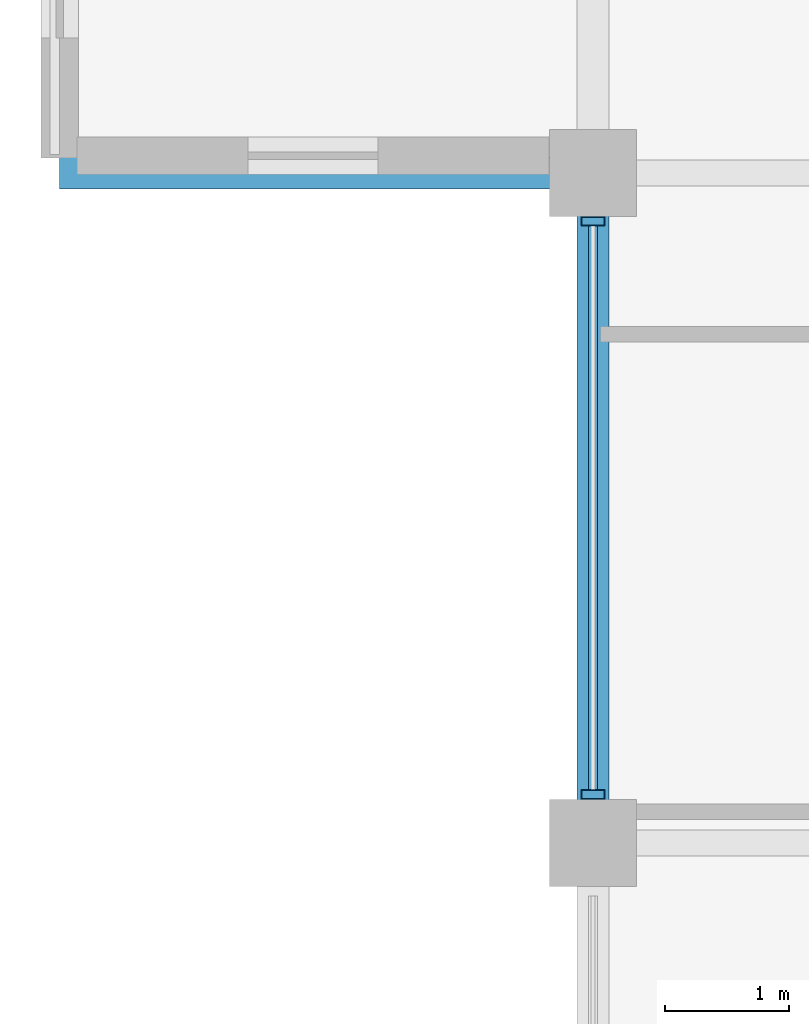
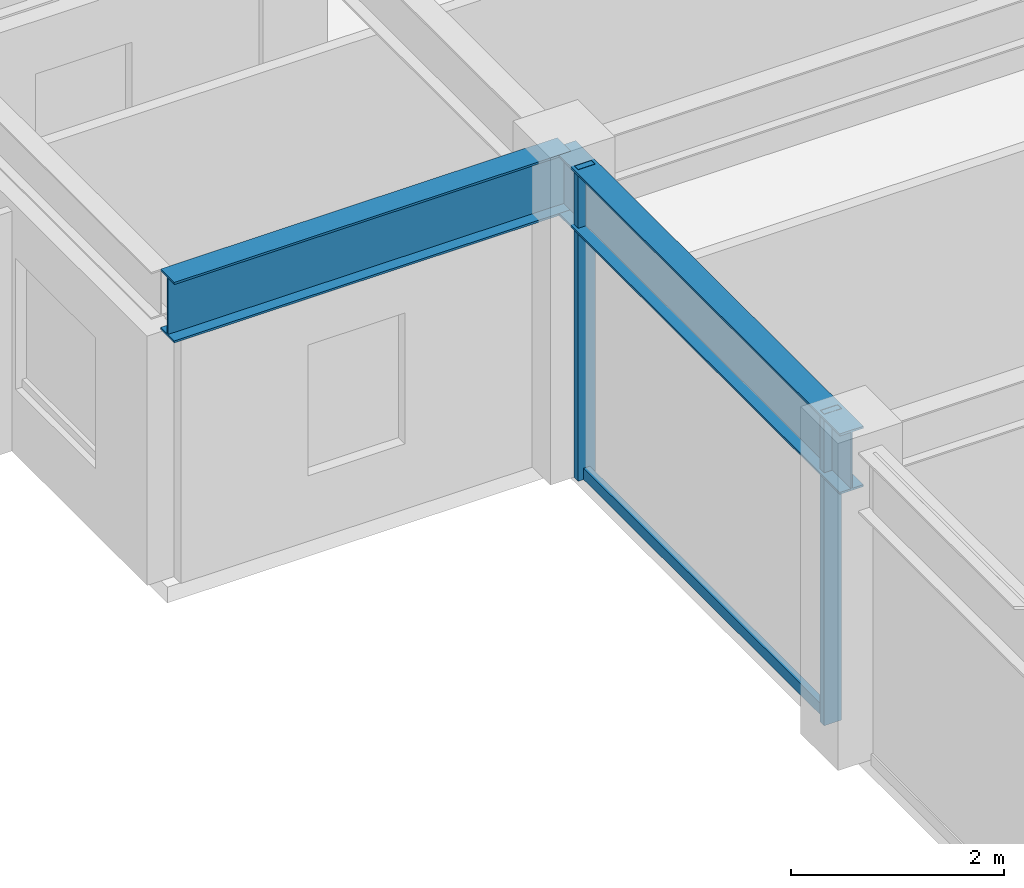
# One storey, part 5 of 31: 3 members, 2 beams, 1 element without a shape of its own.
"""IFC4 building model written with IfcOpenShell, lengths in metres."""

from ifc_helpers import new_model, si_unit, direction, frame, origin, origin_2d, place, context, subcontext, project, spatial, hollow_rectangle, i_section, extrude, material, layer, layer_set, material_profile, profile_set, type_object, element, aggregate, save


model = new_model("IFC4")

# Units and contexts
model_context = context("Model", 3, precision=1e-05, world=origin(), true_north=direction((0.0, 1.0)))
body_context = subcontext(model_context, "Body", "Model", "MODEL_VIEW")
ifc_project = project(units=[si_unit("LENGTHUNIT", "METRE"), si_unit("AREAUNIT", "SQUARE_METRE"), si_unit("VOLUMEUNIT", "CUBIC_METRE"), si_unit("PLANEANGLEUNIT", "RADIAN"), si_unit("MASSUNIT", "GRAM", prefix="KILO")], contexts=[model_context])

# Site, building, storey
site_placement = place(None, origin())
site = spatial("IfcSite", under=ifc_project, at=site_placement, CompositionType="ELEMENT")
building_placement = place(site_placement, origin())
building = spatial("IfcBuilding", under=site, at=building_placement, Name="Surkhivell Harbour Commons", CompositionType="ELEMENT")
storey_placement = place(building_placement, frame((0.0, 0.0, 322.5)))
storey = spatial("IfcBuildingStorey", under=building, at=storey_placement, Name="L84", CompositionType="ELEMENT", Elevation=322.5)

# Beams
ifc_material_1 = material(Name="Steel S460", Category="steel")
ifc_material_profile_1 = material_profile(ifc_material_1, i_section(OverallWidth=0.256103515625, OverallDepth=0.693115234375, WebThickness=0.014404296875, FlangeThickness=0.023681640625, at=origin_2d()), Name="UB686x254x170")
ifc_profile_set_1 = profile_set([ifc_material_profile_1], Name="Steel S460")
beam_type_1 = type_object("IfcBeamType", Name="BM-CNT-686", PredefinedType="BEAM", material=ifc_profile_set_1)
beam_1_placement = place(storey_placement, frame((-27.0, 0.0, 3.223388671875), z_axis=(-1.0, 0.0, 0.0), x_axis=(0.0, -1.0, 0.0)))
element("IfcBeam", 1, at=beam_1_placement, inside=storey, type_object=beam_type_1, Name="L84 Box Cantilever Outrigger (-27.0,0.0)", PredefinedType="BEAM", context=body_context, shape_type="SweptSolid", body=[
    extrude(i_section(OverallWidth=0.256103515625, OverallDepth=0.693115234375, WebThickness=0.014404296875, FlangeThickness=0.023681640625, at=origin_2d()), origin(), (0.0, 0.0, 1.0), 4.300048828125),
])
ifc_material_2 = material(Name="Steel S355", Category="steel")
ifc_material_profile_2 = material_profile(ifc_material_2, i_section(OverallWidth=0.256103515625, OverallDepth=0.693115234375, WebThickness=0.014404296875, FlangeThickness=0.023681640625, at=origin_2d()), Name="UB686x254x170")
ifc_profile_set_2 = profile_set([ifc_material_profile_2], Name="Steel S355")
beam_type_2 = type_object("IfcBeamType", Name="BM-SPN-686", PredefinedType="SPANDREL", material=ifc_profile_set_2)
beam_2_placement = place(storey_placement, frame((-27.0, -5.39990234375, 3.223388671875), z_axis=(0.0, 1.0, 0.0), x_axis=(-1.0, 0.0, 0.0)))
element("IfcBeam", 2, at=beam_2_placement, inside=storey, type_object=beam_type_2, Name="L84 Tube Spandrel (-27.0,-5.4)", PredefinedType="SPANDREL", context=body_context, shape_type="SweptSolid", body=[
    extrude(i_section(OverallWidth=0.256103515625, OverallDepth=0.693115234375, WebThickness=0.014404296875, FlangeThickness=0.023681640625, at=origin_2d()), origin(), (0.0, 0.0, 1.0), 5.39990234375),
])

# Curtain wall, members
ifc_material_3 = material(Name="Anodised pale-metal aluminium and insulated glazing", Category="aluminium")
ifc_layer = layer(ifc_material_3, 0.175048828125)
ifc_layer_set = layer_set([ifc_layer], Name="Anodised pale-metal aluminium and insulated glazing")
curtain_wall_type = type_object("IfcCurtainWallType", Name="CW-SYS-Z4", PredefinedType="NOTDEFINED", material=ifc_layer_set)
curtain_wall_placement = place(storey_placement, origin())
curtain_wall = element("IfcCurtainWall", 3, at=curtain_wall_placement, inside=storey, type_object=curtain_wall_type, Name="L84 Curtain Wall CW-L84-E12R1S1", PredefinedType="NOTDEFINED")
ifc_material_4 = material(Name="Anodised pale-metal aluminium alloy 6063-T6", Category="aluminium")
ifc_material_profile_3 = material_profile(ifc_material_4, hollow_rectangle(XDim=0.074951171875, YDim=0.18994140625, WallThickness=0.00390625, at=origin_2d()), Name="ALU-MULL-75x190")
ifc_profile_set_3 = profile_set([ifc_material_profile_3], Name="Anodised pale-metal aluminium alloy 6063-T6")
member_type_1 = type_object("IfcMemberType", Name="CWM-190", PredefinedType="MULLION", material=ifc_profile_set_3)
member_1_placement = place(storey_placement, frame((-27.0, -5.010498046875, 0.0), z_axis=(0.0, 0.0, 1.0), x_axis=(0.0, 1.0, 0.0)))
member_1 = element("IfcMember", 4, at=member_1_placement, type_object=member_type_1, Name="CW-Z4 mullion 2", PredefinedType="MULLION", context=body_context, shape_type="SweptSolid", body=[
    extrude(hollow_rectangle(XDim=0.074951171875, YDim=0.18994140625, WallThickness=0.00390625, at=origin_2d()), origin(), (0.0, 0.0, 1.0), 3.570068359375),
])
member_2_placement = place(storey_placement, frame((-27.0, -0.389404296875, 0.0), z_axis=(0.0, 0.0, 1.0), x_axis=(0.0, 1.0, 0.0)))
member_2 = element("IfcMember", 5, at=member_2_placement, type_object=member_type_1, Name="CW-Z4 mullion 3", PredefinedType="MULLION", context=body_context, shape_type="SweptSolid", body=[
    extrude(hollow_rectangle(XDim=0.074951171875, YDim=0.18994140625, WallThickness=0.00390625, at=origin_2d()), origin(), (0.0, 0.0, 1.0), 3.570068359375),
])
ifc_material_5 = material(Name="Champagne anodised aluminium alloy 6063-T6", Category="aluminium")
ifc_material_profile_4 = material_profile(ifc_material_5, hollow_rectangle(XDim=0.070068359375, YDim=0.1298828125, WallThickness=0.00341796875, at=origin_2d()), Name="ALU-TRAN-70x130")
ifc_profile_set_4 = profile_set([ifc_material_profile_4], Name="Champagne anodised aluminium alloy 6063-T6")
member_type_2 = type_object("IfcMemberType", Name="CWT-130", PredefinedType="USERDEFINED", material=ifc_profile_set_4)
member_3_placement = place(storey_placement, frame((-27.0, -4.972900390625, 0.06494140625), z_axis=(0.0, 1.0, 0.0), x_axis=(-1.0, 0.0, 0.0)))
member_3 = element("IfcMember", 6, at=member_3_placement, type_object=member_type_2, Name="CW-Z4 transom 2.1", ObjectType="TRANSOM", PredefinedType="USERDEFINED", context=body_context, shape_type="SweptSolid", body=[
    extrude(hollow_rectangle(XDim=0.070068359375, YDim=0.1298828125, WallThickness=0.00341796875, at=origin_2d()), origin(), (0.0, 0.0, 1.0), 4.5458984375),
])
aggregate(curtain_wall, [member_1, member_2, member_3])

save(model, "model.ifc")
